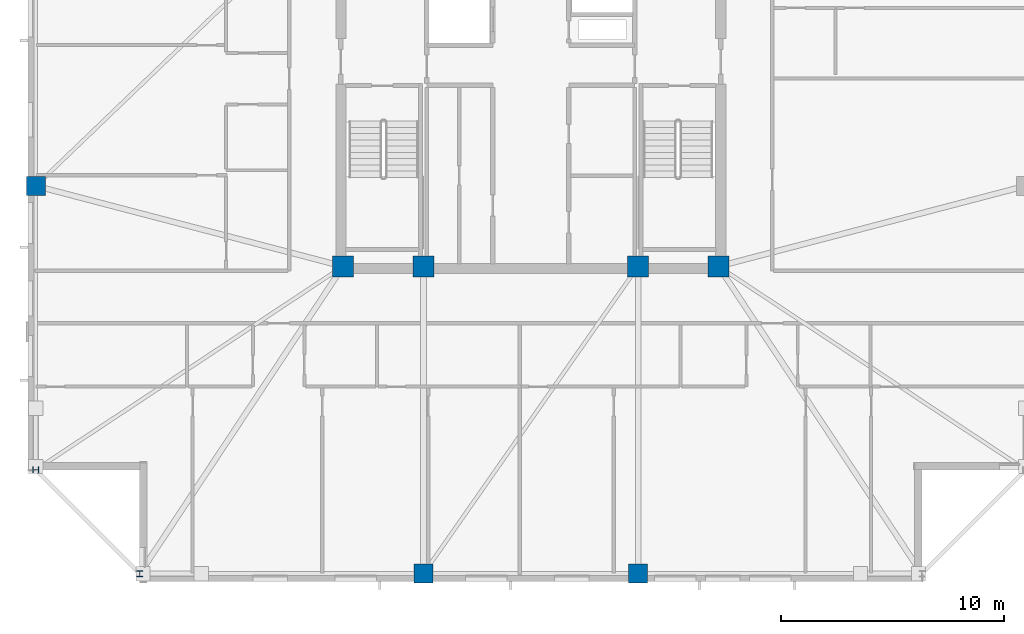
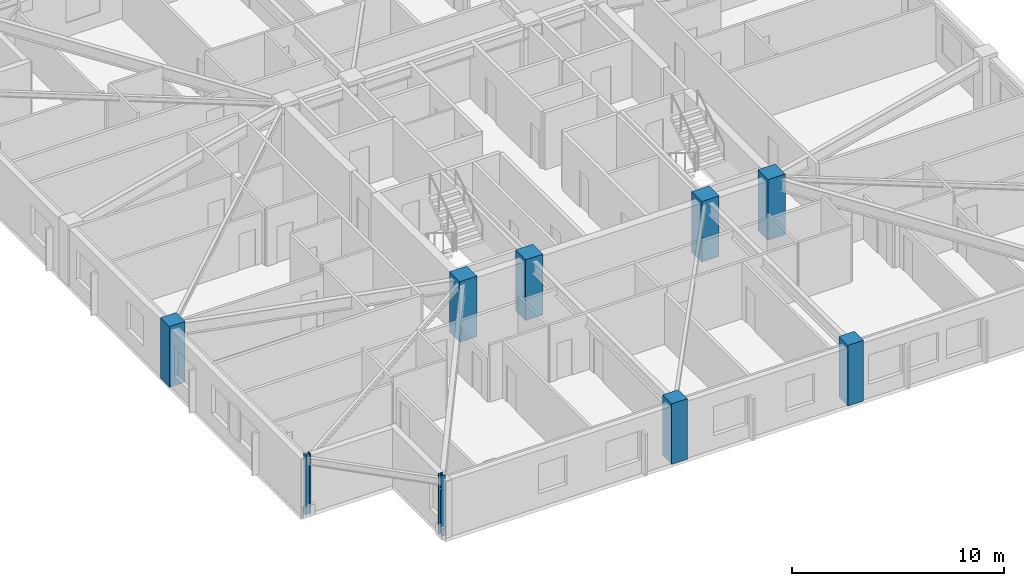
# One storey, part 1 of 17: 9 columns.
"""IFC4 building model written with IfcOpenShell, lengths in metres."""

from ifc_helpers import new_model, si_unit, direction, frame, origin, origin_2d, place, context, subcontext, project, spatial, rectangle, i_section, extrude, material, material_profile, profile_set, type_object, element, save


model = new_model("IFC4")

# Units and contexts
model_context = context("Model", 3, precision=1e-05, world=origin(), true_north=direction((0.0, 1.0)))
body_context = subcontext(model_context, "Body", "Model", "MODEL_VIEW")
ifc_project = project(units=[si_unit("LENGTHUNIT", "METRE"), si_unit("AREAUNIT", "SQUARE_METRE"), si_unit("VOLUMEUNIT", "CUBIC_METRE"), si_unit("PLANEANGLEUNIT", "RADIAN"), si_unit("MASSUNIT", "GRAM", prefix="KILO")], contexts=[model_context])

# Site, building, storey
site_placement = place(None, origin())
site = spatial("IfcSite", under=ifc_project, at=site_placement, CompositionType="ELEMENT")
building_placement = place(site_placement, origin())
building = spatial("IfcBuilding", under=site, at=building_placement, Name="Cairnveth Concourse Tower", CompositionType="ELEMENT")
storey_placement = place(building_placement, frame((0.0, 0.0, 209.5)))
storey = spatial("IfcBuildingStorey", under=building, at=storey_placement, Name="L57", CompositionType="ELEMENT", Elevation=209.5)

# Columns
ifc_material_1 = material(Name="Concrete N65 (65 MPa)", Category="concrete")
ifc_material_profile_1 = material_profile(ifc_material_1, rectangle(XDim=0.949951171875, YDim=0.949951171875, at=origin_2d()), Name="RC-COL-950x950")
ifc_profile_set_1 = profile_set([ifc_material_profile_1], Name="Concrete N65 (65 MPa)")
column_type_1 = type_object("IfcColumnType", Name="CORE COLUMN 950X950", PredefinedType="COLUMN", material=ifc_profile_set_1)
for number, where, z_axis, x_axis, name in (
    (1, (43.60009765625, 30.60009765625, 0.0), (0.0, 0.0, 1.0), (1.0, 0.0, 0.0), "Column CC1 L57"),
    (2, (47.199951171875, 30.60009765625, 0.0), (0.0, 0.0, 1.0), (1.0, 0.0, 0.0), "Column CC2 L57"),
    (3, (56.800048828125, 30.60009765625, 0.0), (0.0, 0.0, 1.0), (1.0, 0.0, 0.0), "Column CC3 L57"),
    (4, (60.39990234375, 30.60009765625, 0.0), (0.0, 0.0, 1.0), (1.0, 0.0, 0.0), "Column CC4 L57"),
):
    element("IfcColumn", number, at=place(storey_placement, frame(where, z_axis=z_axis, x_axis=x_axis)), inside=storey, type_object=column_type_1, Name=name, PredefinedType="COLUMN", context=body_context, shape_type="SweptSolid", body=[
        extrude(rectangle(XDim=0.949951171875, YDim=0.949951171875, at=origin_2d()), origin(), (0.0, 0.0, 1.0), 3.5),
    ])
ifc_material_profile_2 = material_profile(ifc_material_1, rectangle(XDim=0.85009765625, YDim=0.85009765625, at=origin_2d()), Name="RC-COL-850x850")
ifc_profile_set_2 = profile_set([ifc_material_profile_2], Name="Concrete N65 (65 MPa)")
column_type_2 = type_object("IfcColumnType", Name="PERIMETER PIER COLUMN 850X850", PredefinedType="COLUMN", material=ifc_profile_set_2)
for number, where, z_axis, x_axis, name in (
    (5, (47.199951171875, 16.85009765625, 0.0), (0.0, 0.0, 1.0), (1.0, 0.0, 0.0), "Column P-S2 L57"),
    (6, (56.800048828125, 16.85009765625, 0.0), (0.0, 0.0, 1.0), (1.0, 0.0, 0.0), "Column P-S3 L57"),
    (7, (29.85009765625, 34.199951171875, 0.0), (0.0, 0.0, 1.0), (0.0, 1.0, 0.0), "Column P-W3 L57"),
):
    element("IfcColumn", number, at=place(storey_placement, frame(where, z_axis=z_axis, x_axis=x_axis)), inside=storey, type_object=column_type_2, Name=name, PredefinedType="COLUMN", context=body_context, shape_type="SweptSolid", body=[
        extrude(rectangle(XDim=0.85009765625, YDim=0.85009765625, at=origin_2d()), origin(), (0.0, 0.0, 1.0), 3.5),
    ])
ifc_material_2 = material(Name="Steel Grade 350", Category="steel")
ifc_material_profile_3 = material_profile(ifc_material_2, i_section(OverallWidth=0.256103515625, OverallDepth=0.260009765625, WebThickness=0.010498046875, FlangeThickness=0.017333984375, FilletRadius=0.012939453125, at=origin_2d()), Name="250UC89.5")
ifc_profile_set_3 = profile_set([ifc_material_profile_3], Name="Steel Grade 350")
column_type_3 = type_object("IfcColumnType", Name="UNIVERSAL STEEL COLUMN 250UC89.5", PredefinedType="COLUMN", material=ifc_profile_set_3)
for number, where, z_axis, x_axis, name in (
    (8, (34.5, 16.85009765625, 0.0), (0.0, 0.0, 1.0), (1.0, 0.0, 0.0), "Column P-S1 L57"),
    (9, (29.85009765625, 21.5, 0.0), (0.0, 0.0, 1.0), (0.0, 1.0, 0.0), "Column P-W4 L57"),
):
    element("IfcColumn", number, at=place(storey_placement, frame(where, z_axis=z_axis, x_axis=x_axis)), inside=storey, type_object=column_type_3, Name=name, PredefinedType="COLUMN", context=body_context, shape_type="SweptSolid", body=[
        extrude(i_section(OverallWidth=0.256103515625, OverallDepth=0.260009765625, WebThickness=0.010498046875, FlangeThickness=0.017333984375, FilletRadius=0.012939453125, at=origin_2d()), origin(), (0.0, 0.0, 1.0), 3.5),
    ])

save(model, "model.ifc")
